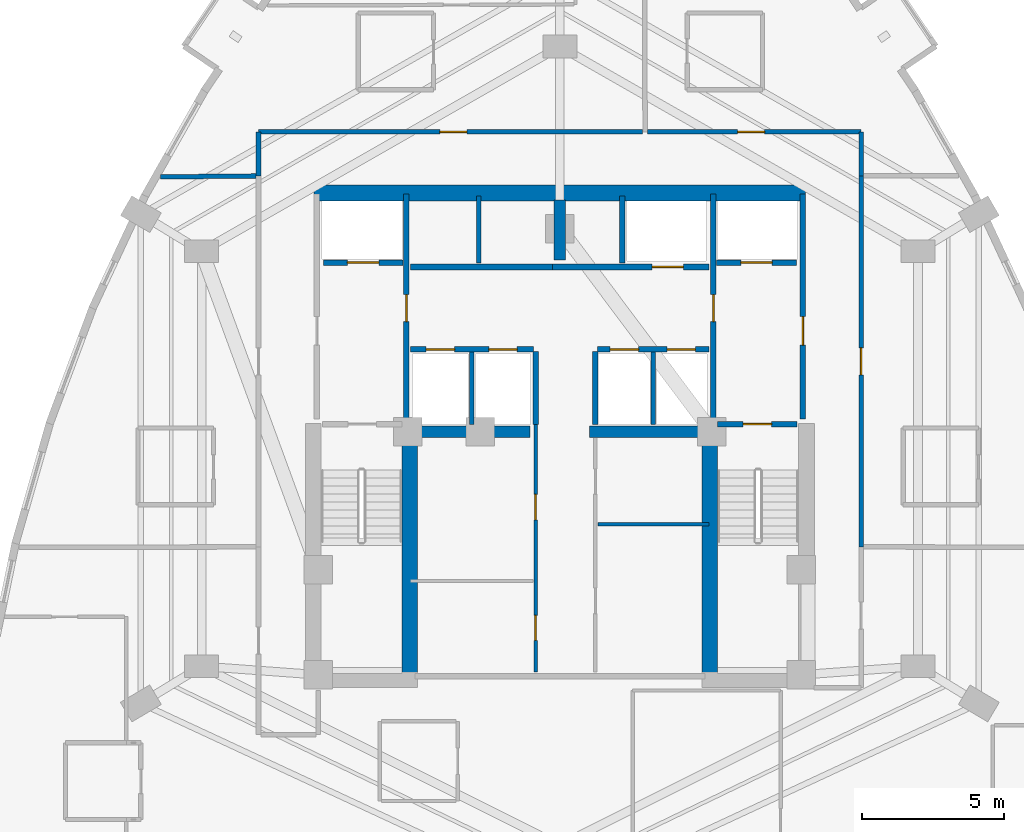
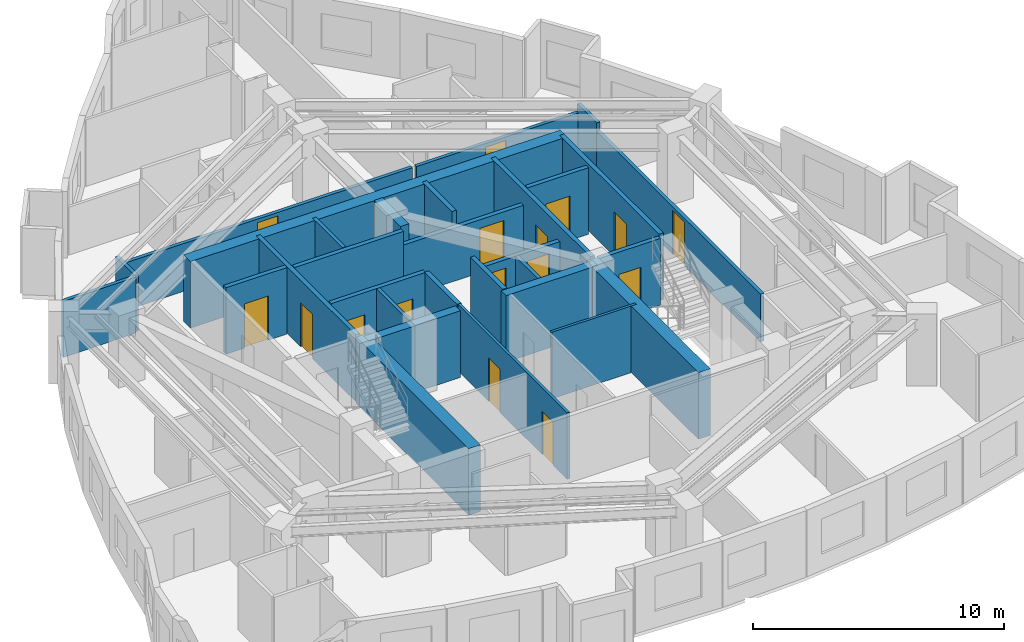
# One storey, part 7 of 11: 30 walls, 16 doors, 16 openings.
"""IFC4 building model written with IfcOpenShell, lengths in metres."""

from ifc_helpers import new_model, si_unit, direction, frame, frame_2d, origin, place, context, subcontext, project, spatial, rectangle, extrude, material, layer, layer_set, type_object, element, fill, save


model = new_model("IFC4")

# Units and contexts
model_context = context("Model", 3, precision=1e-05, world=origin(), true_north=direction((0.0, 1.0)))
body_context = subcontext(model_context, "Body", "Model", "MODEL_VIEW")
ifc_project = project(units=[si_unit("LENGTHUNIT", "METRE"), si_unit("AREAUNIT", "SQUARE_METRE"), si_unit("VOLUMEUNIT", "CUBIC_METRE"), si_unit("PLANEANGLEUNIT", "RADIAN"), si_unit("MASSUNIT", "GRAM", prefix="KILO")], contexts=[model_context])

# Site, building, storey
site_placement = place(None, origin())
site = spatial("IfcSite", under=ifc_project, at=site_placement, CompositionType="ELEMENT")
building_placement = place(site_placement, origin())
building = spatial("IfcBuilding", under=site, at=building_placement, Name="Miruveldt Soraemaru", CompositionType="ELEMENT")
storey_placement = place(building_placement, frame((0.0, 0.0, 149.39990234375)))
storey = spatial("IfcBuildingStorey", under=building, at=storey_placement, Name="L41", CompositionType="ELEMENT", Elevation=149.39990234375)

# Walls
ifc_material_1 = material(Name="Concrete C70/85 (70 MPa)", Category="concrete")
ifc_layer_1 = layer(ifc_material_1, 0.5, Name="Concrete C70/85 (70 MPa)", Category="concrete")
ifc_layer_set_1 = layer_set([ifc_layer_1], Name="Concrete C70/85 (70 MPa)")
wall_type_1 = type_object("IfcWallType", Name="WALL-BW-500", PredefinedType="SHEAR", material=ifc_layer_set_1)
wall_1_placement = place(storey_placement, frame((44.0, 50.10009765625, 0.0), z_axis=(0.0, 0.0, 1.0), x_axis=(0.0, 1.0, 0.0)))
element("IfcWall", 1, at=wall_1_placement, inside=storey, type_object=wall_type_1, Name="L41 Core Buttress Shear Wall BN", PredefinedType="SHEAR", context=body_context, shape_type="SweptSolid", body=[
    extrude(rectangle(XDim=2.099853515625, YDim=0.39990234375, at=frame_2d((1.0498046875, 0.0))), origin(), (0.0, 0.0, 1.0), 3.235107421875),
])
for number, where, z_axis, x_axis, name in (
    (2, (38.75, 44.050048828125, 0.0), (0.0, 0.0, 1.0), (1.0, 0.0, 0.0), "L41 Core Buttress Shear Wall BW"),
    (3, (45.050048828125, 44.050048828125, 0.0), (0.0, 0.0, 1.0), (1.0, 0.0, 0.0), "L41 Core Buttress Shear Wall BE"),
):
    element("IfcWall", number, at=place(storey_placement, frame(where, z_axis=z_axis, x_axis=x_axis)), inside=storey, type_object=wall_type_1, Name=name, PredefinedType="SHEAR", context=body_context, shape_type="SweptSolid", body=[
        extrude(rectangle(XDim=4.199951171875, YDim=0.39990234375, at=frame_2d((2.10009765625, 0.0))), origin(), (0.0, 0.0, 1.0), 3.235107421875),
    ])
ifc_layer_2 = layer(ifc_material_1, 0.550048828125, Name="Concrete C70/85 (70 MPa)", Category="concrete")
ifc_layer_set_2 = layer_set([ifc_layer_2], Name="Concrete C70/85 (70 MPa)")
wall_type_2 = type_object("IfcWallType", Name="WALL-CW-550", PredefinedType="SHEAR", material=ifc_layer_set_2)
wall_2_placement = place(storey_placement, frame((35.35009765625, 52.449951171875, 0.0), z_axis=(0.0, 0.0, 1.0), x_axis=(1.0, 0.0, 0.0)))
element("IfcWall", 4, at=wall_2_placement, inside=storey, type_object=wall_type_2, Name="L41 Central Core Shear Wall N", PredefinedType="SHEAR", context=body_context, shape_type="SweptSolid", body=[
    extrude(rectangle(XDim=17.2998046875, YDim=0.550048828125, at=frame_2d((8.64990234375, 0.0))), origin(), (0.0, 0.0, 1.0), 3.235107421875),
])
for number, where, z_axis, x_axis, name in (
    (5, (38.72509765625, 35.39990234375, 0.0), (0.0, 0.0, 1.0), (0.0, 1.0, 0.0), "L41 Central Core Shear Wall SW-INT"),
    (6, (49.27490234375, 35.39990234375, 0.0), (0.0, 0.0, 1.0), (0.0, 1.0, 0.0), "L41 Central Core Shear Wall SE-INT"),
):
    element("IfcWall", number, at=place(storey_placement, frame(where, z_axis=z_axis, x_axis=x_axis)), inside=storey, type_object=wall_type_2, Name=name, PredefinedType="SHEAR", context=body_context, shape_type="SweptSolid", body=[
        extrude(rectangle(XDim=8.9501953125, YDim=0.550048828125, at=frame_2d((4.47509765625, 0.0))), origin(), (0.0, 0.0, 1.0), 3.235107421875),
    ])

# Wall, openings, doors
ifc_material_2 = material(Name="Gypsum plasterboard lining", Category="gypsum")
ifc_layer_3 = layer(ifc_material_2, 0.1201171875, Name="Gypsum plasterboard lining", Category="gypsum")
ifc_layer_set_3 = layer_set([ifc_layer_3], Name="Gypsum plasterboard lining")
wall_type_3 = type_object("IfcWallType", Name="WALL-INT-P120", PredefinedType="PARTITIONING", material=ifc_layer_set_3)
wall_3_placement = place(storey_placement, frame((43.14990234375, 35.60009765625, 0.0), z_axis=(0.0, 0.0, 1.0), x_axis=(0.0, 1.0, 0.0)))
wall_3 = element("IfcWall", 7, at=wall_3_placement, inside=storey, type_object=wall_type_3, Name="L41 Core Compartment Wall SP-WL", PredefinedType="PARTITIONING", context=body_context, shape_type="SweptSolid", body=[
    extrude(rectangle(XDim=8.699951171875, YDim=0.1201171875, at=frame_2d((4.35009765625, 0.0))), origin(), (0.0, 0.0, 1.0), 3.235107421875),
])
opening_1_placement = place(wall_3_placement, frame((1.110107421875, 0.0, 0.0)))
opening_1 = element("IfcOpeningElement", 8, at=opening_1_placement, cuts=wall_3, Name="Opening D4", PredefinedType="OPENING", context=body_context, shape_type="SweptSolid", body=[
    extrude(rectangle(XDim=0.8798828125, YDim=2.10009765625, at=frame_2d((0.43994140625, 1.050048828125))), frame((0.0, 0.070068359375, 0.0), z_axis=(0.0, -1.0, 0.0), x_axis=(1.0, 0.0, 0.0)), (0.0, 0.0, 1.0), 0.14013671875),
])
opening_2_placement = place(wall_3_placement, frame((5.35009765625, 0.0, 0.0)))
opening_2 = element("IfcOpeningElement", 9, at=opening_2_placement, cuts=wall_3, Name="Opening D3", PredefinedType="OPENING", context=body_context, shape_type="SweptSolid", body=[
    extrude(rectangle(XDim=0.89990234375, YDim=2.10009765625, at=frame_2d((0.449951171875, 1.050048828125))), frame((0.0, 0.070068359375, 0.0), z_axis=(0.0, -1.0, 0.0), x_axis=(1.0, 0.0, 0.0)), (0.0, 0.0, 1.0), 0.14013671875),
])
ifc_material_3 = material(Name="Anodised aluminium EN AW-6063 T6", Category="aluminium")
door_type_1 = type_object("IfcDoorType", Name="DOOR-INT-880", OperationType="NOTDEFINED", PredefinedType="DOOR", material=ifc_material_3)
door_1_placement = place(opening_1_placement, origin())
door_1 = element("IfcDoor", 10, at=door_1_placement, inside=storey, type_object=door_type_1, Name="L41 Fire Door", OperationType="SINGLE_SWING_LEFT", OverallHeight=2.10009765625, OverallWidth=0.8798828125, PredefinedType="DOOR", context=body_context, shape_type="SweptSolid", body=[
    extrude(rectangle(XDim=0.8798828125, YDim=2.10009765625, at=frame_2d((0.43994140625, 1.050048828125))), frame((0.0, 0.02490234375, 0.0), z_axis=(0.0, -1.0, 0.0), x_axis=(1.0, 0.0, 0.0)), (0.0, 0.0, 1.0), 0.050048828125),
])
fill(opening_1, door_1)
door_type_2 = type_object("IfcDoorType", Name="DOOR-INT-900", OperationType="NOTDEFINED", PredefinedType="DOOR", material=ifc_material_3)
door_2_placement = place(opening_2_placement, origin())
door_2 = element("IfcDoor", 11, at=door_2_placement, inside=storey, type_object=door_type_2, Name="L41 Fire Door", OperationType="SINGLE_SWING_LEFT", OverallHeight=2.10009765625, OverallWidth=0.89990234375, PredefinedType="DOOR", context=body_context, shape_type="SweptSolid", body=[
    extrude(rectangle(XDim=0.89990234375, YDim=2.10009765625, at=frame_2d((0.449951171875, 1.050048828125))), frame((0.0, 0.02490234375, 0.0), z_axis=(0.0, -1.0, 0.0), x_axis=(1.0, 0.0, 0.0)), (0.0, 0.0, 1.0), 0.050048828125),
])
fill(opening_2, door_2)

# Wall
wall_4_placement = place(storey_placement, frame((45.35009765625, 40.800048828125, 0.0), z_axis=(0.0, 0.0, 1.0), x_axis=(1.0, 0.0, 0.0)))
element("IfcWall", 12, at=wall_4_placement, inside=storey, type_object=wall_type_3, Name="L41 Core Compartment Wall RL-E2H", PredefinedType="PARTITIONING", context=body_context, shape_type="SweptSolid", body=[
    extrude(rectangle(XDim=3.89990234375, YDim=0.1201171875, at=frame_2d((1.949951171875, 0.0))), origin(), (0.0, 0.0, 1.0), 3.235107421875),
])

# Wall, opening, door
ifc_material_4 = material(Name="Concrete C40/50 (40 MPa)", Category="concrete")
ifc_layer_4 = layer(ifc_material_4, 0.159912109375, Name="Concrete C40/50 (40 MPa)", Category="concrete")
ifc_layer_set_4 = layer_set([ifc_layer_4], Name="Concrete C40/50 (40 MPa)")
wall_type_4 = type_object("IfcWallType", Name="WALL-INT-RC160", PredefinedType="SOLIDWALL", material=ifc_layer_set_4)
wall_5_placement = place(storey_placement, frame((46.9150390625, 54.60009765625, 0.0), z_axis=(0.0, 0.0, 1.0), x_axis=(-1.0, 0.0, 0.0)))
wall_5 = element("IfcWall", 13, at=wall_5_placement, inside=storey, type_object=wall_type_4, Name="L41 Partition Wall 1", PredefinedType="SOLIDWALL", context=body_context, shape_type="SweptSolid", body=[
    extrude(rectangle(XDim=13.51513671875, YDim=0.159912109375, at=frame_2d((6.757568359375, 0.0))), origin(), (0.0, 0.0, 1.0), 2.322998046875),
])
opening_3_placement = place(wall_5_placement, frame((6.181884765625, 0.0, 0.0)))
opening_3 = element("IfcOpeningElement", 14, at=opening_3_placement, cuts=wall_5, Name="Opening FD2", PredefinedType="OPENING", context=body_context, shape_type="SweptSolid", body=[
    extrude(rectangle(XDim=0.949951171875, YDim=2.14990234375, at=frame_2d((0.47509765625, 1.074951171875))), frame((0.0, 0.08984375, 0.0), z_axis=(0.0, -1.0, 0.0), x_axis=(1.0, 0.0, 0.0)), (0.0, 0.0, 1.0), 0.179931640625),
])
door_type_3 = type_object("IfcDoorType", Name="DOOR-FD2-950", OperationType="NOTDEFINED", PredefinedType="DOOR", material=ifc_material_3)
door_3_placement = place(opening_3_placement, origin())
door_3 = element("IfcDoor", 15, at=door_3_placement, inside=storey, type_object=door_type_3, Name="L41 Unit 4101 Entrance Fire Door", OperationType="SINGLE_SWING_RIGHT", OverallHeight=2.14990234375, OverallWidth=0.949951171875, PredefinedType="DOOR", context=body_context, shape_type="SweptSolid", body=[
    extrude(rectangle(XDim=0.949951171875, YDim=2.14990234375, at=frame_2d((0.47509765625, 1.074951171875))), frame((0.0, 0.02490234375, 0.0), z_axis=(0.0, -1.0, 0.0), x_axis=(1.0, 0.0, 0.0)), (0.0, 0.0, 1.0), 0.050048828125),
])
fill(opening_3, door_3)

wall_6_placement = place(storey_placement, frame((54.60009765625, 40.0, 0.0), z_axis=(0.0, 0.0, 1.0), x_axis=(0.0, 1.0, 0.0)))
wall_6 = element("IfcWall", 16, at=wall_6_placement, inside=storey, type_object=wall_type_4, Name="L41 Partition Wall 6", PredefinedType="SOLIDWALL", context=body_context, shape_type="SweptSolid", body=[
    extrude(rectangle(XDim=13.050048828125, YDim=0.159912109375, at=frame_2d((6.52490234375, 0.0))), origin(), (0.0, 0.0, 1.0), 2.322998046875),
])
opening_4_placement = place(wall_6_placement, frame((6.050048828125, 0.0, 0.0)))
opening_4 = element("IfcOpeningElement", 17, at=opening_4_placement, cuts=wall_6, Name="Opening FD2", PredefinedType="OPENING", context=body_context, shape_type="SweptSolid", body=[
    extrude(rectangle(XDim=0.949951171875, YDim=2.14990234375, at=frame_2d((0.47509765625, 1.074951171875))), frame((0.0, 0.08984375, 0.0), z_axis=(0.0, -1.0, 0.0), x_axis=(1.0, 0.0, 0.0)), (0.0, 0.0, 1.0), 0.179931640625),
])
door_4_placement = place(opening_4_placement, origin())
door_4 = element("IfcDoor", 18, at=door_4_placement, inside=storey, type_object=door_type_3, Name="L41 Unit CL04 Entrance Fire Door", OperationType="SINGLE_SWING_LEFT", OverallHeight=2.14990234375, OverallWidth=0.949951171875, PredefinedType="DOOR", context=body_context, shape_type="SweptSolid", body=[
    extrude(rectangle(XDim=0.949951171875, YDim=2.14990234375, at=frame_2d((0.47509765625, 1.074951171875))), frame((0.0, 0.02490234375, 0.0), z_axis=(0.0, -1.0, 0.0), x_axis=(1.0, 0.0, 0.0)), (0.0, 0.0, 1.0), 0.050048828125),
])
fill(opening_4, door_4)

wall_7_placement = place(storey_placement, frame((54.60009765625, 54.60009765625, 0.0), z_axis=(0.0, 0.0, 1.0), x_axis=(-1.0, 0.0, 0.0)))
wall_7 = element("IfcWall", 19, at=wall_7_placement, inside=storey, type_object=wall_type_4, Name="L41 Partition Wall 4", PredefinedType="SOLIDWALL", context=body_context, shape_type="SweptSolid", body=[
    extrude(rectangle(XDim=7.51708984375, YDim=0.159912109375, at=frame_2d((3.758544921875, 0.0))), origin(), (0.0, 0.0, 1.0), 2.322998046875),
])
opening_5_placement = place(wall_7_placement, frame((3.39404296875, 0.0, 0.0)))
opening_5 = element("IfcOpeningElement", 20, at=opening_5_placement, cuts=wall_7, Name="Opening FD2", PredefinedType="OPENING", context=body_context, shape_type="SweptSolid", body=[
    extrude(rectangle(XDim=0.949951171875, YDim=2.14990234375, at=frame_2d((0.47509765625, 1.074951171875))), frame((0.0, 0.08984375, 0.0), z_axis=(0.0, -1.0, 0.0), x_axis=(1.0, 0.0, 0.0)), (0.0, 0.0, 1.0), 0.179931640625),
])
door_5_placement = place(opening_5_placement, origin())
door_5 = element("IfcDoor", 21, at=door_5_placement, inside=storey, type_object=door_type_3, Name="L41 Unit CL02 Entrance Fire Door", OperationType="SINGLE_SWING_LEFT", OverallHeight=2.14990234375, OverallWidth=0.949951171875, PredefinedType="DOOR", context=body_context, shape_type="SweptSolid", body=[
    extrude(rectangle(XDim=0.949951171875, YDim=2.14990234375, at=frame_2d((0.47509765625, 1.074951171875))), frame((0.0, 0.02490234375, 0.0), z_axis=(0.0, -1.0, 0.0), x_axis=(1.0, 0.0, 0.0)), (0.0, 0.0, 1.0), 0.050048828125),
])
fill(opening_5, door_5)

# Walls
wall_8_placement = place(storey_placement, frame((29.955078125, 53.01708984375, 0.0), z_axis=(0.0, 0.0, 1.0), x_axis=(0.999954750349, 0.009513004524, 0.0)))
element("IfcWall", 22, at=wall_8_placement, inside=storey, type_object=wall_type_4, Name="L41 Partition Wall 25", PredefinedType="SOLIDWALL", context=body_context, shape_type="SweptSolid", body=[
    extrude(rectangle(XDim=3.362060546875, YDim=0.159912109375, at=frame_2d((1.68115234375, 0.0))), origin(), (0.0, 0.0, 1.0), 2.72314453125),
])
wall_9_placement = place(storey_placement, frame((40.89990234375, 44.300048828125, 0.0), z_axis=(0.0, 0.0, 1.0), x_axis=(0.0, 1.0, 0.0)))
element("IfcWall", 23, at=wall_9_placement, inside=storey, type_object=wall_type_4, Name="L41 Core Compartment Wall PLM-DW", PredefinedType="SOLIDWALL", context=body_context, shape_type="SweptSolid", body=[
    extrude(rectangle(XDim=2.550048828125, YDim=0.159912109375, at=frame_2d((1.27490234375, 0.0))), origin(), (0.0, 0.0, 1.0), 3.235107421875),
])
wall_10_placement = place(storey_placement, frame((47.280029296875, 44.300048828125, 0.0), z_axis=(0.0, 0.0, 1.0), x_axis=(0.0, 1.0, 0.0)))
element("IfcWall", 24, at=wall_10_placement, inside=storey, type_object=wall_type_4, Name="L41 Core Compartment Wall PLM-DE", PredefinedType="SOLIDWALL", context=body_context, shape_type="SweptSolid", body=[
    extrude(rectangle(XDim=2.550048828125, YDim=0.159912109375, at=frame_2d((1.27490234375, 0.0))), origin(), (0.0, 0.0, 1.0), 2.572998046875),
])
wall_11_placement = place(storey_placement, frame((41.14990234375, 49.97998046875, 0.0), z_axis=(0.0, 0.0, 1.0), x_axis=(0.0, 1.0, 0.0)))
element("IfcWall", 25, at=wall_11_placement, inside=storey, type_object=wall_type_4, Name="L41 Core Compartment Wall PLH-DIV1", PredefinedType="SOLIDWALL", context=body_context, shape_type="SweptSolid", body=[
    extrude(rectangle(XDim=2.3701171875, YDim=0.159912109375, at=frame_2d((1.18505859375, 0.0))), origin(), (0.0, 0.0, 1.0), 3.235107421875),
])
wall_12_placement = place(storey_placement, frame((54.60009765625, 53.052978515625, 0.0), z_axis=(0.0, 0.0, 1.0), x_axis=(0.0, 1.0, 0.0)))
element("IfcWall", 26, at=wall_12_placement, inside=storey, type_object=wall_type_4, Name="L41 Partition Wall 3", PredefinedType="SOLIDWALL", context=body_context, shape_type="SweptSolid", body=[
    extrude(rectangle(XDim=1.547119140625, YDim=0.159912109375, at=frame_2d((0.7734375, 0.0))), origin(), (0.0, 0.0, 1.0), 2.72314453125),
])
wall_13_placement = place(storey_placement, frame((33.39990234375, 54.60009765625, 0.0), z_axis=(0.0, 0.0, 1.0), x_axis=(0.0, -1.0, 0.0)))
element("IfcWall", 27, at=wall_13_placement, inside=storey, type_object=wall_type_4, Name="L41 Partition Wall 2", PredefinedType="SOLIDWALL", context=body_context, shape_type="SweptSolid", body=[
    extrude(rectangle(XDim=1.545166015625, YDim=0.159912109375, at=frame_2d((0.7724609375, 0.0))), origin(), (0.0, 0.0, 1.0), 2.72314453125),
])

# Wall, opening, door
ifc_layer_5 = layer(ifc_material_4, 0.199951171875, Name="Concrete C40/50 (40 MPa)", Category="concrete")
ifc_layer_set_5 = layer_set([ifc_layer_5], Name="Concrete C40/50 (40 MPa)")
wall_type_5 = type_object("IfcWallType", Name="WALL-INT-RC200", PredefinedType="SOLIDWALL", material=ifc_layer_set_5)
wall_14_placement = place(storey_placement, frame((52.550048828125, 44.5, 0.0), z_axis=(0.0, 0.0, 1.0), x_axis=(0.0, 1.0, 0.0)))
wall_14 = element("IfcWall", 28, at=wall_14_placement, inside=storey, type_object=wall_type_5, Name="L41 Core Compartment Wall FFE-OUT", PredefinedType="SOLIDWALL", context=body_context, shape_type="SweptSolid", body=[
    extrude(rectangle(XDim=7.919921875, YDim=0.199951171875, at=frame_2d((3.9599609375, 0.0))), origin(), (0.0, 0.0, 1.0), 3.235107421875),
])
opening_6_placement = place(wall_14_placement, frame((2.60009765625, 0.0, 0.0)))
opening_6 = element("IfcOpeningElement", 29, at=opening_6_placement, cuts=wall_14, Name="Opening FD1", PredefinedType="OPENING", context=body_context, shape_type="SweptSolid", body=[
    extrude(rectangle(XDim=1.0, YDim=2.14990234375, at=frame_2d((0.5, 1.074951171875))), frame((0.0, 0.10986328125, 0.0), z_axis=(0.0, -1.0, 0.0), x_axis=(1.0, 0.0, 0.0)), (0.0, 0.0, 1.0), 0.219970703125),
])
door_type_4 = type_object("IfcDoorType", Name="DOOR-FD1-1000", OperationType="NOTDEFINED", PredefinedType="DOOR", material=ifc_material_3)
door_6_placement = place(opening_6_placement, frame((1.0, 0.0, 0.0), z_axis=(0.0, 0.0, 1.0), x_axis=(-1.0, 0.0, 0.0)))
door_6 = element("IfcDoor", 30, at=door_6_placement, inside=storey, type_object=door_type_4, Name="L41 East Firefighting Lobby Exit Door", OperationType="SINGLE_SWING_RIGHT", OverallHeight=2.14990234375, OverallWidth=1.0, PredefinedType="DOOR", context=body_context, shape_type="SweptSolid", body=[
    extrude(rectangle(XDim=1.0, YDim=2.14990234375, at=frame_2d((0.5, 1.074951171875))), frame((0.0, 0.02490234375, 0.0), z_axis=(0.0, -1.0, 0.0), x_axis=(1.0, 0.0, 0.0)), (0.0, 0.0, 1.0), 0.050048828125),
])
fill(opening_6, door_6)

wall_15_placement = place(storey_placement, frame((38.60009765625, 44.5, 0.0), z_axis=(0.0, 0.0, 1.0), x_axis=(0.0, 1.0, 0.0)))
wall_15 = element("IfcWall", 31, at=wall_15_placement, inside=storey, type_object=wall_type_5, Name="L41 Core Compartment Wall FFW-IN", PredefinedType="SOLIDWALL", context=body_context, shape_type="SweptSolid", body=[
    extrude(rectangle(XDim=7.919921875, YDim=0.199951171875, at=frame_2d((3.9599609375, 0.0))), origin(), (0.0, 0.0, 1.0), 3.235107421875),
])
opening_7_placement = place(wall_15_placement, frame((3.425048828125, 0.0, 0.0)))
opening_7 = element("IfcOpeningElement", 32, at=opening_7_placement, cuts=wall_15, Name="Opening FD2", PredefinedType="OPENING", context=body_context, shape_type="SweptSolid", body=[
    extrude(rectangle(XDim=0.949951171875, YDim=2.14990234375, at=frame_2d((0.47509765625, 1.074951171875))), frame((0.0, 0.10986328125, 0.0), z_axis=(0.0, -1.0, 0.0), x_axis=(1.0, 0.0, 0.0)), (0.0, 0.0, 1.0), 0.219970703125),
])
door_7_placement = place(opening_7_placement, frame((0.949951171875, 0.0, 0.0), z_axis=(0.0, 0.0, 1.0), x_axis=(-1.0, 0.0, 0.0)))
door_7 = element("IfcDoor", 33, at=door_7_placement, inside=storey, type_object=door_type_3, Name="L41 Lift Lobby to West Fire Lobby Door", OperationType="SINGLE_SWING_RIGHT", OverallHeight=2.14990234375, OverallWidth=0.949951171875, PredefinedType="DOOR", context=body_context, shape_type="SweptSolid", body=[
    extrude(rectangle(XDim=0.949951171875, YDim=2.14990234375, at=frame_2d((0.47509765625, 1.074951171875))), frame((0.0, 0.02490234375, 0.0), z_axis=(0.0, -1.0, 0.0), x_axis=(1.0, 0.0, 0.0)), (0.0, 0.0, 1.0), 0.050048828125),
])
fill(opening_7, door_7)

wall_16_placement = place(storey_placement, frame((49.39990234375, 44.5, 0.0), z_axis=(0.0, 0.0, 1.0), x_axis=(0.0, 1.0, 0.0)))
wall_16 = element("IfcWall", 34, at=wall_16_placement, inside=storey, type_object=wall_type_5, Name="L41 Core Compartment Wall FFE-IN", PredefinedType="SOLIDWALL", context=body_context, shape_type="SweptSolid", body=[
    extrude(rectangle(XDim=7.919921875, YDim=0.199951171875, at=frame_2d((3.9599609375, 0.0))), origin(), (0.0, 0.0, 1.0), 3.235107421875),
])
opening_8_placement = place(wall_16_placement, frame((3.425048828125, 0.0, 0.0)))
opening_8 = element("IfcOpeningElement", 35, at=opening_8_placement, cuts=wall_16, Name="Opening FD2", PredefinedType="OPENING", context=body_context, shape_type="SweptSolid", body=[
    extrude(rectangle(XDim=0.949951171875, YDim=2.14990234375, at=frame_2d((0.47509765625, 1.074951171875))), frame((0.0, 0.10986328125, 0.0), z_axis=(0.0, -1.0, 0.0), x_axis=(1.0, 0.0, 0.0)), (0.0, 0.0, 1.0), 0.219970703125),
])
door_8_placement = place(opening_8_placement, origin())
door_8 = element("IfcDoor", 36, at=door_8_placement, inside=storey, type_object=door_type_3, Name="L41 Lift Lobby to East Fire Lobby Door", OperationType="SINGLE_SWING_LEFT", OverallHeight=2.14990234375, OverallWidth=0.949951171875, PredefinedType="DOOR", context=body_context, shape_type="SweptSolid", body=[
    extrude(rectangle(XDim=0.949951171875, YDim=2.14990234375, at=frame_2d((0.47509765625, 1.074951171875))), frame((0.0, 0.02490234375, 0.0), z_axis=(0.0, -1.0, 0.0), x_axis=(1.0, 0.0, 0.0)), (0.0, 0.0, 1.0), 0.050048828125),
])
fill(opening_8, door_8)

wall_17_placement = place(storey_placement, frame((43.75, 49.85009765625, 0.0), z_axis=(0.0, 0.0, 1.0), x_axis=(1.0, 0.0, 0.0)))
wall_17 = element("IfcWall", 37, at=wall_17_placement, inside=storey, type_object=wall_type_5, Name="L41 Core Compartment Wall ROWA-SE", PredefinedType="SOLIDWALL", context=body_context, shape_type="SweptSolid", body=[
    extrude(rectangle(XDim=5.5, YDim=0.199951171875, at=frame_2d((2.75, 0.0))), origin(), (0.0, 0.0, 1.0), 2.572998046875),
])
opening_9_placement = place(wall_17_placement, frame((3.5, 0.0, 0.0)))
opening_9 = element("IfcOpeningElement", 38, at=opening_9_placement, cuts=wall_17, Name="Opening LD2", PredefinedType="OPENING", context=body_context, shape_type="SweptSolid", body=[
    extrude(rectangle(XDim=1.10009765625, YDim=2.14990234375, at=frame_2d((0.550048828125, 1.074951171875))), frame((0.0, 0.10986328125, 0.0), z_axis=(0.0, -1.0, 0.0), x_axis=(1.0, 0.0, 0.0)), (0.0, 0.0, 1.0), 0.219970703125),
])
door_type_5 = type_object("IfcDoorType", Name="DOOR-LD2-1100", OperationType="SLIDING_TO_LEFT", PredefinedType="DOOR", material=ifc_material_3)
door_9_placement = place(opening_9_placement, origin())
door_9 = element("IfcDoor", 39, at=door_9_placement, inside=storey, type_object=door_type_5, Name="L41 SL-1 Landing Door", OperationType="SLIDING_TO_LEFT", OverallHeight=2.14990234375, OverallWidth=1.10009765625, PredefinedType="DOOR", context=body_context, shape_type="SweptSolid", body=[
    extrude(rectangle(XDim=1.10009765625, YDim=2.14990234375, at=frame_2d((0.550048828125, 1.074951171875))), frame((0.0, 0.02490234375, 0.0), z_axis=(0.0, -1.0, 0.0), x_axis=(1.0, 0.0, 0.0)), (0.0, 0.0, 1.0), 0.050048828125),
])
fill(opening_9, door_9)

# Wall, openings, doors
wall_18_placement = place(storey_placement, frame((38.75, 46.949951171875, 0.0), z_axis=(0.0, 0.0, 1.0), x_axis=(1.0, 0.0, 0.0)))
wall_18 = element("IfcWall", 40, at=wall_18_placement, inside=storey, type_object=wall_type_5, Name="L41 Core Compartment Wall MBW-N", PredefinedType="SOLIDWALL", context=body_context, shape_type="SweptSolid", body=[
    extrude(rectangle(XDim=4.330078125, YDim=0.199951171875, at=frame_2d((2.1650390625, 0.0))), origin(), (0.0, 0.0, 1.0), 3.235107421875),
])
opening_10_placement = place(wall_18_placement, frame((0.550048828125, 0.0, 0.0)))
opening_10 = element("IfcOpeningElement", 41, at=opening_10_placement, cuts=wall_18, Name="Opening LD1B", PredefinedType="OPENING", context=body_context, shape_type="SweptSolid", body=[
    extrude(rectangle(XDim=1.0, YDim=2.14990234375, at=frame_2d((0.5, 1.074951171875))), frame((0.0, 0.10986328125, 0.0), z_axis=(0.0, -1.0, 0.0), x_axis=(1.0, 0.0, 0.0)), (0.0, 0.0, 1.0), 0.219970703125),
])
opening_11_placement = place(wall_18_placement, frame((2.75, 0.0, 0.0)))
opening_11 = element("IfcOpeningElement", 42, at=opening_11_placement, cuts=wall_18, Name="Opening LD1B", PredefinedType="OPENING", context=body_context, shape_type="SweptSolid", body=[
    extrude(rectangle(XDim=1.0, YDim=2.14990234375, at=frame_2d((0.5, 1.074951171875))), frame((0.0, 0.10986328125, 0.0), z_axis=(0.0, -1.0, 0.0), x_axis=(1.0, 0.0, 0.0)), (0.0, 0.0, 1.0), 0.219970703125),
])
door_type_6 = type_object("IfcDoorType", Name="DOOR-LD1-1000", OperationType="SLIDING_TO_LEFT", PredefinedType="DOOR", material=ifc_material_3)
door_10_placement = place(opening_10_placement, origin())
door_10 = element("IfcDoor", 43, at=door_10_placement, inside=storey, type_object=door_type_6, Name="L41 PL-M1 Landing Door", OperationType="SLIDING_TO_LEFT", OverallHeight=2.14990234375, OverallWidth=1.0, PredefinedType="DOOR", context=body_context, shape_type="SweptSolid", body=[
    extrude(rectangle(XDim=1.0, YDim=2.14990234375, at=frame_2d((0.5, 1.074951171875))), frame((0.0, 0.02490234375, 0.0), z_axis=(0.0, -1.0, 0.0), x_axis=(1.0, 0.0, 0.0)), (0.0, 0.0, 1.0), 0.050048828125),
])
fill(opening_10, door_10)
door_11_placement = place(opening_11_placement, origin())
door_11 = element("IfcDoor", 44, at=door_11_placement, inside=storey, type_object=door_type_6, Name="L41 PL-M2 Landing Door", OperationType="SLIDING_TO_LEFT", OverallHeight=2.14990234375, OverallWidth=1.0, PredefinedType="DOOR", context=body_context, shape_type="SweptSolid", body=[
    extrude(rectangle(XDim=1.0, YDim=2.14990234375, at=frame_2d((0.5, 1.074951171875))), frame((0.0, 0.02490234375, 0.0), z_axis=(0.0, -1.0, 0.0), x_axis=(1.0, 0.0, 0.0)), (0.0, 0.0, 1.0), 0.050048828125),
])
fill(opening_11, door_11)

wall_19_placement = place(storey_placement, frame((45.320068359375, 46.949951171875, 0.0), z_axis=(0.0, 0.0, 1.0), x_axis=(1.0, 0.0, 0.0)))
wall_19 = element("IfcWall", 45, at=wall_19_placement, inside=storey, type_object=wall_type_5, Name="L41 Core Compartment Wall MBE-N", PredefinedType="SOLIDWALL", context=body_context, shape_type="SweptSolid", body=[
    extrude(rectangle(XDim=3.929931640625, YDim=0.199951171875, at=frame_2d((1.96484375, 0.0))), origin(), (0.0, 0.0, 1.0), 2.572998046875),
])
opening_12_placement = place(wall_19_placement, frame((0.449951171875, 0.0, 0.0)))
opening_12 = element("IfcOpeningElement", 46, at=opening_12_placement, cuts=wall_19, Name="Opening LD1B", PredefinedType="OPENING", context=body_context, shape_type="SweptSolid", body=[
    extrude(rectangle(XDim=1.0, YDim=2.14990234375, at=frame_2d((0.5, 1.074951171875))), frame((0.0, 0.10986328125, 0.0), z_axis=(0.0, -1.0, 0.0), x_axis=(1.0, 0.0, 0.0)), (0.0, 0.0, 1.0), 0.219970703125),
])
opening_13_placement = place(wall_19_placement, frame((2.449951171875, 0.0, 0.0)))
opening_13 = element("IfcOpeningElement", 47, at=opening_13_placement, cuts=wall_19, Name="Opening LD1B", PredefinedType="OPENING", context=body_context, shape_type="SweptSolid", body=[
    extrude(rectangle(XDim=1.0, YDim=2.14990234375, at=frame_2d((0.5, 1.074951171875))), frame((0.0, 0.10986328125, 0.0), z_axis=(0.0, -1.0, 0.0), x_axis=(1.0, 0.0, 0.0)), (0.0, 0.0, 1.0), 0.219970703125),
])
door_12_placement = place(opening_12_placement, origin())
door_12 = element("IfcDoor", 48, at=door_12_placement, inside=storey, type_object=door_type_6, Name="L41 PL-M3 Landing Door", OperationType="SLIDING_TO_LEFT", OverallHeight=2.14990234375, OverallWidth=1.0, PredefinedType="DOOR", context=body_context, shape_type="SweptSolid", body=[
    extrude(rectangle(XDim=1.0, YDim=2.14990234375, at=frame_2d((0.5, 1.074951171875))), frame((0.0, 0.02490234375, 0.0), z_axis=(0.0, -1.0, 0.0), x_axis=(1.0, 0.0, 0.0)), (0.0, 0.0, 1.0), 0.050048828125),
])
fill(opening_12, door_12)
door_13_placement = place(opening_13_placement, origin())
door_13 = element("IfcDoor", 49, at=door_13_placement, inside=storey, type_object=door_type_6, Name="L41 PL-M4 Landing Door", OperationType="SLIDING_TO_LEFT", OverallHeight=2.14990234375, OverallWidth=1.0, PredefinedType="DOOR", context=body_context, shape_type="SweptSolid", body=[
    extrude(rectangle(XDim=1.0, YDim=2.14990234375, at=frame_2d((0.5, 1.074951171875))), frame((0.0, 0.02490234375, 0.0), z_axis=(0.0, -1.0, 0.0), x_axis=(1.0, 0.0, 0.0)), (0.0, 0.0, 1.0), 0.050048828125),
])
fill(opening_13, door_13)

# Wall, opening, door
wall_20_placement = place(storey_placement, frame((49.550048828125, 44.320068359375, 0.0), z_axis=(0.0, 0.0, 1.0), x_axis=(1.0, 0.0, 0.0)))
wall_20 = element("IfcWall", 50, at=wall_20_placement, inside=storey, type_object=wall_type_5, Name="L41 Core Compartment Wall ST2-N", PredefinedType="SOLIDWALL", context=body_context, shape_type="SweptSolid", body=[
    extrude(rectangle(XDim=2.800048828125, YDim=0.199951171875, at=frame_2d((1.39990234375, 0.0))), origin(), (0.0, 0.0, 1.0), 3.235107421875),
])
opening_14_placement = place(wall_20_placement, frame((0.89990234375, 0.0, 0.0)))
opening_14 = element("IfcOpeningElement", 51, at=opening_14_placement, cuts=wall_20, Name="Opening FD1", PredefinedType="OPENING", context=body_context, shape_type="SweptSolid", body=[
    extrude(rectangle(XDim=1.0, YDim=2.14990234375, at=frame_2d((0.5, 1.074951171875))), frame((0.0, 0.10986328125, 0.0), z_axis=(0.0, -1.0, 0.0), x_axis=(1.0, 0.0, 0.0)), (0.0, 0.0, 1.0), 0.219970703125),
])
door_14_placement = place(opening_14_placement, frame((1.0, 0.0, 0.0), z_axis=(0.0, 0.0, 1.0), x_axis=(-1.0, 0.0, 0.0)))
door_14 = element("IfcDoor", 52, at=door_14_placement, inside=storey, type_object=door_type_4, Name="L41 Stair ST-2 Fire Door", OperationType="SINGLE_SWING_RIGHT", OverallHeight=2.14990234375, OverallWidth=1.0, PredefinedType="DOOR", context=body_context, shape_type="SweptSolid", body=[
    extrude(rectangle(XDim=1.0, YDim=2.14990234375, at=frame_2d((0.5, 1.074951171875))), frame((0.0, 0.02490234375, 0.0), z_axis=(0.0, -1.0, 0.0), x_axis=(1.0, 0.0, 0.0)), (0.0, 0.0, 1.0), 0.050048828125),
])
fill(opening_14, door_14)

wall_21_placement = place(storey_placement, frame((35.679931640625, 50.0, 0.0), z_axis=(0.0, 0.0, 1.0), x_axis=(1.0, 0.0, 0.0)))
wall_21 = element("IfcWall", 53, at=wall_21_placement, inside=storey, type_object=wall_type_5, Name="L41 Core Compartment Wall FFL1-S", PredefinedType="SOLIDWALL", context=body_context, shape_type="SweptSolid", body=[
    extrude(rectangle(XDim=2.800048828125, YDim=0.199951171875, at=frame_2d((1.39990234375, 0.0))), origin(), (0.0, 0.0, 1.0), 3.235107421875),
])
opening_15_placement = place(wall_21_placement, frame((0.85009765625, 0.0, 0.0)))
opening_15 = element("IfcOpeningElement", 54, at=opening_15_placement, cuts=wall_21, Name="Opening LD2", PredefinedType="OPENING", context=body_context, shape_type="SweptSolid", body=[
    extrude(rectangle(XDim=1.10009765625, YDim=2.14990234375, at=frame_2d((0.550048828125, 1.074951171875))), frame((0.0, 0.10986328125, 0.0), z_axis=(0.0, -1.0, 0.0), x_axis=(1.0, 0.0, 0.0)), (0.0, 0.0, 1.0), 0.219970703125),
])
door_15_placement = place(opening_15_placement, origin())
door_15 = element("IfcDoor", 55, at=door_15_placement, inside=storey, type_object=door_type_5, Name="L41 FFL-1 Landing Door", OperationType="SLIDING_TO_LEFT", OverallHeight=2.14990234375, OverallWidth=1.10009765625, PredefinedType="DOOR", context=body_context, shape_type="SweptSolid", body=[
    extrude(rectangle(XDim=1.10009765625, YDim=2.14990234375, at=frame_2d((0.550048828125, 1.074951171875))), frame((0.0, 0.02490234375, 0.0), z_axis=(0.0, -1.0, 0.0), x_axis=(1.0, 0.0, 0.0)), (0.0, 0.0, 1.0), 0.050048828125),
])
fill(opening_15, door_15)

wall_22_placement = place(storey_placement, frame((49.52001953125, 50.0, 0.0), z_axis=(0.0, 0.0, 1.0), x_axis=(1.0, 0.0, 0.0)))
wall_22 = element("IfcWall", 56, at=wall_22_placement, inside=storey, type_object=wall_type_5, Name="L41 Core Compartment Wall FFL2-S", PredefinedType="SOLIDWALL", context=body_context, shape_type="SweptSolid", body=[
    extrude(rectangle(XDim=2.800048828125, YDim=0.199951171875, at=frame_2d((1.39990234375, 0.0))), origin(), (0.0, 0.0, 1.0), 3.235107421875),
])
opening_16_placement = place(wall_22_placement, frame((0.85009765625, 0.0, 0.0)))
opening_16 = element("IfcOpeningElement", 57, at=opening_16_placement, cuts=wall_22, Name="Opening LD2", PredefinedType="OPENING", context=body_context, shape_type="SweptSolid", body=[
    extrude(rectangle(XDim=1.10009765625, YDim=2.14990234375, at=frame_2d((0.550048828125, 1.074951171875))), frame((0.0, 0.10986328125, 0.0), z_axis=(0.0, -1.0, 0.0), x_axis=(1.0, 0.0, 0.0)), (0.0, 0.0, 1.0), 0.219970703125),
])
door_16_placement = place(opening_16_placement, origin())
door_16 = element("IfcDoor", 58, at=door_16_placement, inside=storey, type_object=door_type_5, Name="L41 FFL-2 Landing Door", OperationType="SLIDING_TO_LEFT", OverallHeight=2.14990234375, OverallWidth=1.10009765625, PredefinedType="DOOR", context=body_context, shape_type="SweptSolid", body=[
    extrude(rectangle(XDim=1.10009765625, YDim=2.14990234375, at=frame_2d((0.550048828125, 1.074951171875))), frame((0.0, 0.02490234375, 0.0), z_axis=(0.0, -1.0, 0.0), x_axis=(1.0, 0.0, 0.0)), (0.0, 0.0, 1.0), 0.050048828125),
])
fill(opening_16, door_16)

# Walls
wall_23_placement = place(storey_placement, frame((38.75, 49.85009765625, 0.0), z_axis=(0.0, 0.0, 1.0), x_axis=(1.0, 0.0, 0.0)))
element("IfcWall", 59, at=wall_23_placement, inside=storey, type_object=wall_type_5, Name="L41 Core Compartment Wall ROWA-SW", PredefinedType="SOLIDWALL", context=body_context, shape_type="SweptSolid", body=[
    extrude(rectangle(XDim=5.0, YDim=0.199951171875, at=frame_2d((2.5, 0.0))), origin(), (0.0, 0.0, 1.0), 3.235107421875),
])
for number, where, z_axis, x_axis, name in (
    (60, (43.14990234375, 44.300048828125, 0.0), (0.0, 0.0, 1.0), (0.0, 1.0, 0.0), "L41 Core Compartment Wall SP-WB"),
    (61, (45.25, 44.300048828125, 0.0), (0.0, 0.0, 1.0), (0.0, 1.0, 0.0), "L41 Core Compartment Wall SP-EB"),
):
    element("IfcWall", number, at=place(storey_placement, frame(where, z_axis=z_axis, x_axis=x_axis)), inside=storey, type_object=wall_type_5, Name=name, PredefinedType="SOLIDWALL", context=body_context, shape_type="SweptSolid", body=[
        extrude(rectangle(XDim=2.579833984375, YDim=0.199951171875, at=frame_2d((1.2900390625, 0.0))), origin(), (0.0, 0.0, 1.0), 3.235107421875),
    ])
wall_24_placement = place(storey_placement, frame((46.199951171875, 49.97998046875, 0.0), z_axis=(0.0, 0.0, 1.0), x_axis=(0.0, 1.0, 0.0)))
element("IfcWall", 62, at=wall_24_placement, inside=storey, type_object=wall_type_5, Name="L41 Core Compartment Wall PLH-SL-DIV", PredefinedType="SOLIDWALL", context=body_context, shape_type="SweptSolid", body=[
    extrude(rectangle(XDim=2.3701171875, YDim=0.199951171875, at=frame_2d((1.18505859375, 0.0))), origin(), (0.0, 0.0, 1.0), 3.235107421875),
])

save(model, "model.ifc")
